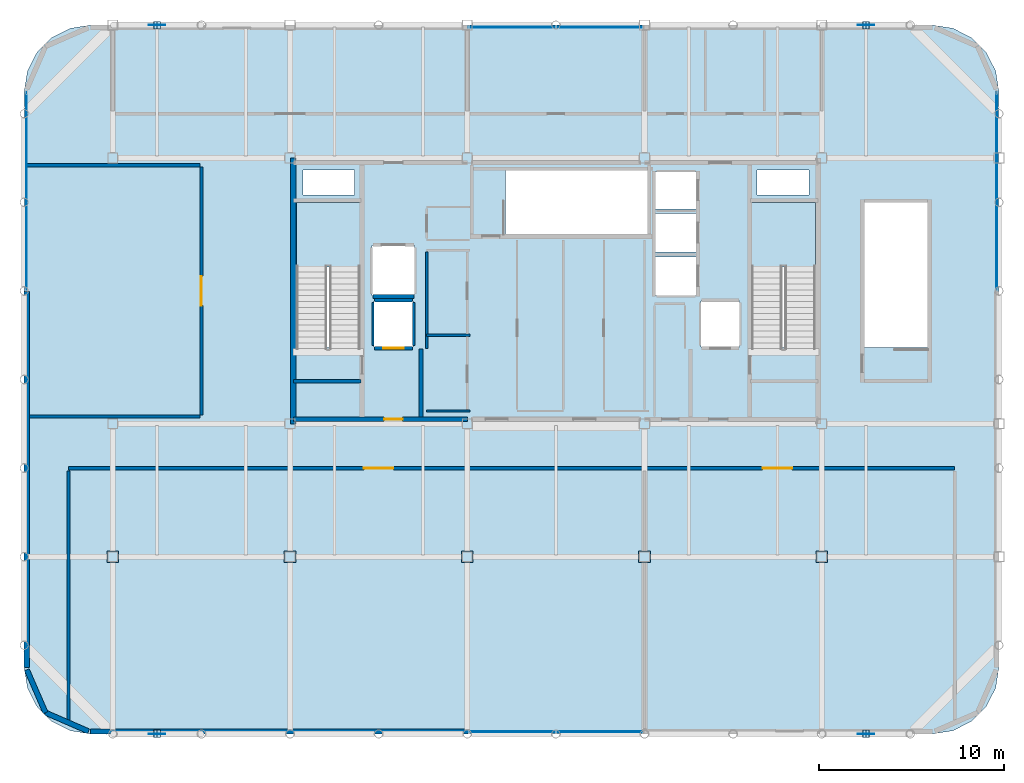
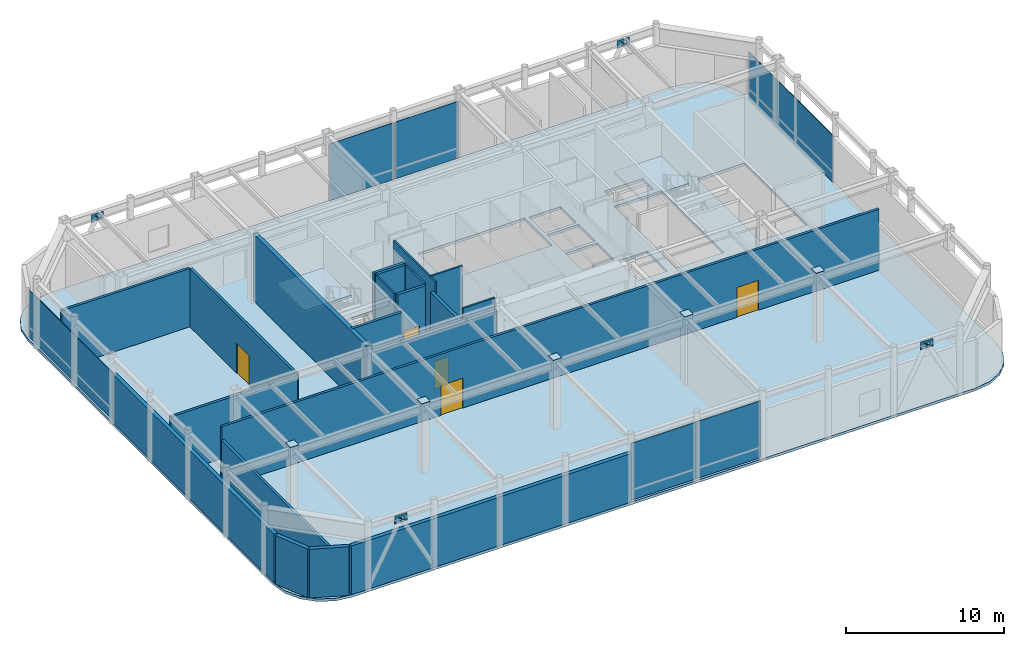
# One storey, part 16 of 21: 23 plates, 21 walls, 5 doors, 3 slabs, 5 openings, 6 elements without a shape of their own.
"""IFC4 building model written with IfcOpenShell, lengths in metres."""

from ifc_helpers import new_model, si_unit, direction, frame, frame_2d, origin, origin_2d, place, context, subcontext, project, spatial, polyline, rectangle, outline, extrude, material, layer, layer_set, type_object, element, fill, aggregate, save


model = new_model("IFC4")

# Units and contexts
model_context = context("Model", 3, precision=1e-05, world=origin(), true_north=direction((0.0, 1.0)))
body_context = subcontext(model_context, "Body", "Model", "MODEL_VIEW")
ifc_project = project(units=[si_unit("LENGTHUNIT", "METRE"), si_unit("AREAUNIT", "SQUARE_METRE"), si_unit("VOLUMEUNIT", "CUBIC_METRE"), si_unit("PLANEANGLEUNIT", "RADIAN"), si_unit("MASSUNIT", "GRAM", prefix="KILO")], contexts=[model_context])

# Site, building, storey
site_placement = place(None, origin())
site = spatial("IfcSite", under=ifc_project, at=site_placement, CompositionType="ELEMENT")
building_placement = place(site_placement, origin())
building = spatial("IfcBuilding", under=site, at=building_placement, Name="Kallvorn Hotel Tower", CompositionType="ELEMENT")
storey_placement = place(building_placement, frame((0.0, 0.0, 300.60009765625)))
storey = spatial("IfcBuildingStorey", under=building, at=storey_placement, Name="L74", CompositionType="ELEMENT", Elevation=300.60009765625)

# Curtain wall, plates
ifc_material_1 = material(Name="Thermally broken black-anodised aluminium AA 6063-T6", Category="aluminium")
ifc_layer_1 = layer(ifc_material_1, 0.25)
ifc_layer_set_1 = layer_set([ifc_layer_1], Name="CW_SYS_6_SUMMIT_OBS")
curtain_wall_type = type_object("IfcCurtainWallType", Name="CW_SYS_6_SUMMIT_OBS", PredefinedType="USERDEFINED", material=ifc_layer_set_1)
curtain_wall_1_placement = place(storey_placement, origin())
curtain_wall_1 = element("IfcCurtainWall", 1, at=curtain_wall_1_placement, inside=storey, type_object=curtain_wall_type, Name="L74 Dark-Glass Curtain Wall CW-L74-SC", ObjectType="UNITISED CURTAIN WALL", PredefinedType="USERDEFINED")
ifc_material_2 = material(Name="Triple-glazed low-e acoustic solar-control dark glass", Category="glass")
ifc_layer_2 = layer(ifc_material_2, 0.044921875)
ifc_layer_set_2 = layer_set([ifc_layer_2], Name="CW_SYS_6_SUMMIT_OBS_PANEL")
plate_type_1 = type_object("IfcPlateType", Name="CW_SYS_6_SUMMIT_OBS_PANEL", PredefinedType="CURTAIN_PANEL", material=ifc_layer_set_2)
plate_1_placement = place(storey_placement, frame((-2.375, -23.8798828125, 0.06005859375), z_axis=(0.0, 0.0, 1.0), x_axis=(1.0, 0.0, 0.0)))
plate_1 = element("IfcPlate", 2, at=plate_1_placement, type_object=plate_type_1, Name="CW-L74-SC Vision Glass Panel 00", PredefinedType="CURTAIN_PANEL", context=body_context, shape_type="SweptSolid", body=[
    extrude(rectangle(XDim=4.68994140625, YDim=0.044921875, at=origin_2d()), origin(), (0.0, 0.0, 1.0), 4.389892578125),
])
plate_2_placement = place(storey_placement, frame((2.375, -23.8798828125, 0.06005859375), z_axis=(0.0, 0.0, 1.0), x_axis=(1.0, 0.0, 0.0)))
plate_2 = element("IfcPlate", 3, at=plate_2_placement, type_object=plate_type_1, Name="CW-L74-SC Vision Glass Panel 01", PredefinedType="CURTAIN_PANEL", context=body_context, shape_type="SweptSolid", body=[
    extrude(rectangle(XDim=4.68994140625, YDim=0.044921875, at=origin_2d()), origin(), (0.0, 0.0, 1.0), 4.389892578125),
])
aggregate(curtain_wall_1, [plate_1, plate_2])

curtain_wall_2_placement = place(storey_placement, origin())
curtain_wall_2 = element("IfcCurtainWall", 4, at=curtain_wall_2_placement, inside=storey, type_object=curtain_wall_type, Name="L74 Dark-Glass Curtain Wall CW-L74-NC", ObjectType="UNITISED CURTAIN WALL", PredefinedType="USERDEFINED")
plate_3_placement = place(storey_placement, frame((-2.375, 14.280029296875, 0.06005859375), z_axis=(0.0, 0.0, 1.0), x_axis=(1.0, 0.0, 0.0)))
plate_3 = element("IfcPlate", 5, at=plate_3_placement, type_object=plate_type_1, Name="CW-L74-NC Vision Glass Panel 00", PredefinedType="CURTAIN_PANEL", context=body_context, shape_type="SweptSolid", body=[
    extrude(rectangle(XDim=4.68994140625, YDim=0.044921875, at=origin_2d()), origin(), (0.0, 0.0, 1.0), 4.389892578125),
])
plate_4_placement = place(storey_placement, frame((2.375, 14.280029296875, 0.06005859375), z_axis=(0.0, 0.0, 1.0), x_axis=(1.0, 0.0, 0.0)))
plate_4 = element("IfcPlate", 6, at=plate_4_placement, type_object=plate_type_1, Name="CW-L74-NC Vision Glass Panel 01", PredefinedType="CURTAIN_PANEL", context=body_context, shape_type="SweptSolid", body=[
    extrude(rectangle(XDim=4.68994140625, YDim=0.044921875, at=origin_2d()), origin(), (0.0, 0.0, 1.0), 4.389892578125),
])
aggregate(curtain_wall_2, [plate_3, plate_4])

# Curtain wall, plate
curtain_wall_3_placement = place(storey_placement, origin())
curtain_wall_3 = element("IfcCurtainWall", 7, at=curtain_wall_3_placement, inside=storey, type_object=curtain_wall_type, Name="L74 Dark-Glass Curtain Wall CW-L74-WN", ObjectType="UNITISED CURTAIN WALL", PredefinedType="USERDEFINED")
plate_5_placement = place(storey_placement, frame((-28.679931640625, 5.409912109375, 0.06005859375), z_axis=(0.0, 0.0, 1.0), x_axis=(0.0, 1.0, 0.0)))
plate_5 = element("IfcPlate", 8, at=plate_5_placement, type_object=plate_type_1, Name="CW-L74-WN Vision Glass Panel 00", PredefinedType="CURTAIN_PANEL", context=body_context, shape_type="SweptSolid", body=[
    extrude(rectangle(XDim=10.719970703125, YDim=0.044921875, at=origin_2d()), origin(), (0.0, 0.0, 1.0), 3.639892578125),
])
aggregate(curtain_wall_3, [plate_5])

curtain_wall_4_placement = place(storey_placement, origin())
curtain_wall_4 = element("IfcCurtainWall", 9, at=curtain_wall_4_placement, inside=storey, type_object=curtain_wall_type, Name="L74 Dark-Glass Curtain Wall CW-L74-EN", ObjectType="UNITISED CURTAIN WALL", PredefinedType="USERDEFINED")
plate_6_placement = place(storey_placement, frame((23.8798828125, 5.409912109375, 0.06005859375), z_axis=(0.0, 0.0, 1.0), x_axis=(0.0, 1.0, 0.0)))
plate_6 = element("IfcPlate", 10, at=plate_6_placement, type_object=plate_type_1, Name="CW-L74-EN Vision Glass Panel 00", PredefinedType="CURTAIN_PANEL", context=body_context, shape_type="SweptSolid", body=[
    extrude(rectangle(XDim=10.719970703125, YDim=0.044921875, at=origin_2d()), origin(), (0.0, 0.0, 1.0), 3.639892578125),
])
aggregate(curtain_wall_4, [plate_6])

# Plates
ifc_material_3 = material(Name="Structural steel S355JR", Category="steel")
ifc_layer_3 = layer(ifc_material_3, 0.030029296875)
ifc_layer_set_3 = layer_set([ifc_layer_3], Name="PLT_CAP_30")
plate_type_2 = type_object("IfcPlateType", Name="PLT_CAP_30", PredefinedType="SHEET", material=ifc_layer_set_3)
for number, where, z_axis, x_axis, name in (
    (11, (-24.0, -14.39990234375, 5.39990234375), (0.0, 0.0, 1.0), (1.0, 0.0, 0.0), "L74 Hollow Column Top End Cap Plate 0376"),
    (12, (-14.39990234375, -14.39990234375, 5.39990234375), (0.0, 0.0, 1.0), (1.0, 0.0, 0.0), "L74 Hollow Column Top End Cap Plate 0377"),
    (13, (-4.800048828125, -14.39990234375, 5.39990234375), (0.0, 0.0, 1.0), (1.0, 0.0, 0.0), "L74 Hollow Column Top End Cap Plate 0378"),
    (14, (4.800048828125, -14.39990234375, 5.39990234375), (0.0, 0.0, 1.0), (1.0, 0.0, 0.0), "L74 Hollow Column Top End Cap Plate 0379"),
    (15, (14.39990234375, -14.39990234375, 5.39990234375), (0.0, 0.0, 1.0), (1.0, 0.0, 0.0), "L74 Hollow Column Top End Cap Plate 0380"),
):
    element("IfcPlate", number, at=place(storey_placement, frame(where, z_axis=z_axis, x_axis=x_axis)), inside=storey, type_object=plate_type_2, Name=name, PredefinedType="SHEET", context=body_context, shape_type="SweptSolid", body=[
        extrude(rectangle(XDim=0.6298828125, YDim=0.6298828125, at=origin_2d()), origin(), (0.0, 0.0, 1.0), 0.030029296875),
    ])
for number, where, z_axis, x_axis, name in (
    (16, (-21.4169921875, -24.201904296875, 4.614013671875), (0.469081562602, 0.0, 0.883154849178), (0.0, 1.0, 0.0), "EXO-L74-S1A End Cap Plate B"),
    (17, (-21.782958984375, -23.798095703125, 4.614013671875), (-0.469081562602, 0.0, 0.883154849178), (0.0, -1.0, 0.0), "EXO-L74-S1B End Cap Plate B"),
    (18, (16.98291015625, -24.201904296875, 4.614013671875), (0.469081562602, 0.0, 0.883154849178), (0.0, 1.0, 0.0), "EXO-L74-S2A End Cap Plate B"),
    (19, (16.616943359375, -23.798095703125, 4.614013671875), (-0.469081562602, 0.0, 0.883154849178), (0.0, -1.0, 0.0), "EXO-L74-S2B End Cap Plate B"),
):
    element("IfcPlate", number, at=place(storey_placement, frame(where, z_axis=z_axis, x_axis=x_axis)), inside=storey, type_object=plate_type_2, Name=name, PredefinedType="SHEET", context=body_context, shape_type="SweptSolid", body=[
        extrude(outline(polyline([(0.0, 0.0), (0.40380859375, 0.0), (0.40380859375, 0.40388098809287526), (0.0, 0.40388098809287526), (0.0, 0.0)])), origin(), (0.0, 0.0, -1.0), 0.030029296875),
    ])
for number, where, z_axis, x_axis, name in (
    (20, (-21.4169921875, 14.197998046875, 4.614013671875), (0.469081562602, 0.0, 0.883154849178), (0.0, 1.0, 0.0), "EXO-L74-N1A End Cap Plate B"),
    (21, (-21.782958984375, 14.60205078125, 4.614013671875), (-0.469081562602, 0.0, 0.883154849178), (0.0, -1.0, 0.0), "EXO-L74-N1B End Cap Plate B"),
    (22, (16.98291015625, 14.197998046875, 4.614013671875), (0.469081562602, 0.0, 0.883154849178), (0.0, 1.0, 0.0), "EXO-L74-N2A End Cap Plate B"),
    (23, (16.616943359375, 14.60205078125, 4.614013671875), (-0.469081562602, 0.0, 0.883154849178), (0.0, -1.0, 0.0), "EXO-L74-N2B End Cap Plate B"),
):
    element("IfcPlate", number, at=place(storey_placement, frame(where, z_axis=z_axis, x_axis=x_axis)), inside=storey, type_object=plate_type_2, Name=name, PredefinedType="SHEET", context=body_context, shape_type="SweptSolid", body=[
        extrude(outline(polyline([(0.0, 0.0), (0.404052734375, 0.0), (0.404052734375, 0.4038809880928752), (0.0, 0.4038809880928752), (0.0, 0.0)])), origin(), (0.0, 0.0, -1.0), 0.030029296875),
    ])
ifc_material_4 = material(Name="Structural steel S355JR", Category="steel")
ifc_layer_4 = layer(ifc_material_4, 0.034912109375)
ifc_layer_set_4 = layer_set([ifc_layer_4], Name="PLT_GUSSET_35")
plate_type_3 = type_object("IfcPlateType", Name="PLT_GUSSET_35", PredefinedType="USERDEFINED", material=ifc_layer_set_4)
for number, where, z_axis, x_axis, name in (
    (24, (-21.60009765625, -24.0, 4.3798828125), (0.0, 0.0, 1.0), (1.0, 0.0, 0.0), "L74 Exoskeleton Node Gusset S1"),
    (25, (16.800048828125, -24.0, 4.3798828125), (0.0, 0.0, 1.0), (1.0, 0.0, 0.0), "L74 Exoskeleton Node Gusset S2"),
    (26, (-21.60009765625, 14.39990234375, 4.3798828125), (0.0, 0.0, 1.0), (1.0, 0.0, 0.0), "L74 Exoskeleton Node Gusset N1"),
    (27, (16.800048828125, 14.39990234375, 4.3798828125), (0.0, 0.0, 1.0), (1.0, 0.0, 0.0), "L74 Exoskeleton Node Gusset N2"),
):
    element("IfcPlate", number, at=place(storey_placement, frame(where, z_axis=z_axis, x_axis=x_axis)), inside=storey, type_object=plate_type_3, Name=name, ObjectType="GUSSET PLATE", PredefinedType="USERDEFINED", context=body_context, shape_type="SweptSolid", body=[
        extrude(rectangle(XDim=0.89990234375, YDim=0.034912109375, at=origin_2d()), origin(), (0.0, 0.0, 1.0), 0.56005859375),
    ])

# Stair, slab
ifc_material_5 = material(Name="Precast concrete C40/50", Category="concrete")
stair_type = type_object("IfcStairType", Name="STR_CORE_DOGLEG", PredefinedType="HALF_TURN_STAIR", material=ifc_material_5)
stair_1_placement = place(storey_placement, origin())
stair_1 = element("IfcStair", 28, at=stair_1_placement, inside=storey, type_object=stair_type, Name="L74 Exit stair ST1", PredefinedType="HALF_TURN_STAIR")
ifc_material_6 = material(Name="Precast concrete C40/50", Category="concrete")
ifc_layer_5 = layer(ifc_material_6, 0.179931640625)
ifc_layer_set_5 = layer_set([ifc_layer_5], Name="SLB_LANDING_180")
slab_type_1 = type_object("IfcSlabType", Name="SLB_LANDING_180", PredefinedType="LANDING", material=ifc_layer_set_5)
slab_1_placement = place(storey_placement, frame((0.0, 0.0, 2.5)))
slab_1 = element("IfcSlab", 29, at=slab_1_placement, type_object=slab_type_1, Name="ST1 landing 1", PredefinedType="LANDING", context=body_context, shape_type="SweptSolid", body=[
    extrude(outline(polyline([(-10.60009765625, 1.2900390625), (-10.60009765625, 4.800048828125), (-14.06005859375, 4.800048828125), (-14.06005859375, 1.2900390625), (-10.60009765625, 1.2900390625)])), origin(), (0.0, 0.0, 1.0), 0.199951171875),
])
aggregate(stair_1, [slab_1])

stair_2_placement = place(storey_placement, origin())
stair_2 = element("IfcStair", 30, at=stair_2_placement, inside=storey, type_object=stair_type, Name="L74 Exit stair ST2", PredefinedType="HALF_TURN_STAIR")
slab_2_placement = place(storey_placement, frame((0.0, 0.0, 2.5)))
slab_2 = element("IfcSlab", 31, at=slab_2_placement, type_object=slab_type_1, Name="ST2 landing 1", PredefinedType="LANDING", context=body_context, shape_type="SweptSolid", body=[
    extrude(outline(polyline([(14.06005859375, 1.2900390625), (14.06005859375, 4.800048828125), (10.60009765625, 4.800048828125), (10.60009765625, 1.2900390625), (14.06005859375, 1.2900390625)])), origin(), (0.0, 0.0, 1.0), 0.199951171875),
])
aggregate(stair_2, [slab_2])

# Slab
ifc_material_7 = material(Name="Concrete C40/50", Category="concrete")
ifc_layer_6 = layer(ifc_material_7, 0.199951171875)
ifc_layer_set_6 = layer_set([ifc_layer_6], Name="SLB_SUMMIT_200")
slab_type_2 = type_object("IfcSlabType", Name="SLB_SUMMIT_200", PredefinedType="FLOOR", material=ifc_layer_set_6)
slab_3_placement = place(storey_placement, frame((0.0, 0.0, -0.2001953125)))
element("IfcSlab", 32, at=slab_3_placement, inside=storey, type_object=slab_type_2, Name="L74 Structural Floor Slab", PredefinedType="FLOOR", context=body_context, shape_type="SweptSolid", body=[
    extrude(outline(polyline([(20.39990234375, -24.0), (21.512451171875, -23.82373046875), (22.51611328125, -23.3125), (23.3125, -22.51611328125), (23.82373046875, -21.512451171875), (24.0, -20.39990234375), (24.0, 10.800048828125), (23.82373046875, 11.91259765625), (23.3125, 12.916015625), (22.51611328125, 13.71240234375), (21.512451171875, 14.223876953125), (20.39990234375, 14.39990234375), (-25.199951171875, 14.39990234375), (-26.3125, 14.223876953125), (-27.31591796875, 13.71240234375), (-28.112548828125, 12.916015625), (-28.623779296875, 11.91259765625), (-28.800048828125, 10.800048828125), (-28.800048828125, -20.39990234375), (-28.623779296875, -21.512451171875), (-28.112548828125, -22.51611328125), (-27.31591796875, -23.3125), (-26.3125, -23.82373046875), (-25.199951171875, -24.0), (20.39990234375, -24.0)]), holes=[polyline([(-10.60009765625, -3.070068359375), (-10.60009765625, 4.800048828125), (-14.06005859375, 4.800048828125), (-14.06005859375, -3.070068359375), (-10.60009765625, -3.070068359375)]), polyline([(14.06005859375, -3.070068359375), (14.06005859375, 4.800048828125), (10.60009765625, 4.800048828125), (10.60009765625, -3.070068359375), (14.06005859375, -3.070068359375)]), polyline([(-2.719970703125, 3.050048828125), (5.050048828125, 3.050048828125), (5.050048828125, 6.510009765625), (-2.719970703125, 6.510009765625), (-2.719970703125, 3.050048828125)]), polyline([(20.159912109375, -3.070068359375), (20.159912109375, 4.800048828125), (16.699951171875, 4.800048828125), (16.699951171875, -3.070068359375), (20.159912109375, -3.070068359375)]), polyline([(5.35009765625, -0.25), (7.64990234375, -0.25), (7.64990234375, 1.85009765625), (5.35009765625, 1.85009765625), (5.35009765625, -0.25)]), polyline([(5.35009765625, 2.10009765625), (7.64990234375, 2.10009765625), (7.64990234375, 4.199951171875), (5.35009765625, 4.199951171875), (5.35009765625, 2.10009765625)]), polyline([(5.35009765625, 4.449951171875), (7.64990234375, 4.449951171875), (7.64990234375, 6.449951171875), (5.35009765625, 6.449951171875), (5.35009765625, 4.449951171875)]), polyline([(-9.85009765625, -3.050048828125), (-7.75, -3.050048828125), (-7.75, -0.550048828125), (-9.85009765625, -0.550048828125), (-9.85009765625, -3.050048828125)]), polyline([(7.85009765625, -3.050048828125), (9.949951171875, -3.050048828125), (9.949951171875, -0.550048828125), (7.85009765625, -0.550048828125), (7.85009765625, -3.050048828125)]), polyline([(-9.949951171875, -0.25), (-7.64990234375, -0.25), (-7.64990234375, 2.449951171875), (-9.949951171875, 2.449951171875), (-9.949951171875, -0.25)]), polyline([(-13.699951171875, 5.199951171875), (-10.89990234375, 5.199951171875), (-10.89990234375, 6.550048828125), (-13.699951171875, 6.550048828125), (-13.699951171875, 5.199951171875)]), polyline([(10.89990234375, 5.199951171875), (13.699951171875, 5.199951171875), (13.699951171875, 6.550048828125), (10.89990234375, 6.550048828125), (10.89990234375, 5.199951171875)])]), origin(), (0.0, 0.0, 1.0), 0.2001953125),
])

# Wall
ifc_material_8 = material(Name="Concrete C50/60", Category="concrete")
ifc_layer_7 = layer(ifc_material_8, 0.300048828125)
ifc_layer_set_7 = layer_set([ifc_layer_7], Name="WL_CORE_300")
wall_type_1 = type_object("IfcWallType", Name="WL_CORE_300", PredefinedType="SHEAR", material=ifc_layer_set_7)
wall_1_placement = place(storey_placement, frame((-14.215087890625, -7.199951171875, -0.2001953125), z_axis=(0.0, 0.0, 1.0), x_axis=(0.0, 1.0, 0.0)))
element("IfcWall", 33, at=wall_1_placement, inside=storey, type_object=wall_type_1, Name="L74 Core West Shear Wall", PredefinedType="SHEAR", context=body_context, shape_type="SweptSolid", body=[
    extrude(rectangle(XDim=14.39990234375, YDim=0.300048828125, at=frame_2d((7.199951171875, 0.0))), origin(), (0.0, 0.0, 1.0), 5.360107421875),
])

# Wall, openings, doors
ifc_material_9 = material(Name="Fire-rated double-layer acoustic gypsum drywall EI 60")
ifc_layer_8 = layer(ifc_material_9, 0.179931640625)
ifc_layer_set_8 = layer_set([ifc_layer_8], Name="WL_CORR_180")
wall_type_2 = type_object("IfcWallType", Name="WL_CORR_180", PredefinedType="PARTITIONING", material=ifc_layer_set_8)
wall_2_placement = place(storey_placement, frame((-26.39990234375, -9.60009765625, 0.0), z_axis=(0.0, 0.0, 1.0), x_axis=(1.0, 0.0, 0.0)))
wall_2 = element("IfcWall", 34, at=wall_2_placement, inside=storey, type_object=wall_type_2, Name="L74 South Panorama Observation Deck and Viewing Hall Partition", PredefinedType="PARTITIONING", context=body_context, shape_type="SweptSolid", body=[
    extrude(rectangle(XDim=48.0, YDim=0.179931640625, at=frame_2d((24.0, 0.0))), origin(), (0.0, 0.0, 1.0), 4.719970703125),
])
opening_1_placement = place(wall_2_placement, frame((16.0, 0.0, 0.0)))
opening_1 = element("IfcOpeningElement", 35, at=opening_1_placement, cuts=wall_2, Name="Opening HD1", PredefinedType="OPENING", context=body_context, shape_type="SweptSolid", body=[
    extrude(rectangle(XDim=1.60009765625, YDim=2.300048828125, at=frame_2d((0.800048828125, 1.14990234375))), frame((0.0, 0.104736328125, 0.0), z_axis=(0.0, -1.0, 0.0), x_axis=(1.0, 0.0, 0.0)), (0.0, 0.0, 1.0), 0.2099609375),
])
opening_2_placement = place(wall_2_placement, frame((37.60009765625, 0.0, 0.0)))
opening_2 = element("IfcOpeningElement", 36, at=opening_2_placement, cuts=wall_2, Name="Opening HD1", PredefinedType="OPENING", context=body_context, shape_type="SweptSolid", body=[
    extrude(rectangle(XDim=1.60009765625, YDim=2.300048828125, at=frame_2d((0.800048828125, 1.14990234375))), frame((0.0, 0.104736328125, 0.0), z_axis=(0.0, -1.0, 0.0), x_axis=(1.0, 0.0, 0.0)), (0.0, 0.0, 1.0), 0.2099609375),
])
ifc_material_10 = material(Name="Solid-core walnut veneer fire-rated timber door leaf", Category="wood")
door_type_1 = type_object("IfcDoorType", Name="DR_HALL_1600x2300", OperationType="DOUBLE_DOOR_SINGLE_SWING", PredefinedType="DOOR", material=ifc_material_10)
door_1_placement = place(opening_1_placement, origin())
door_1 = element("IfcDoor", 37, at=door_1_placement, inside=storey, type_object=door_type_1, Name="L74 South Panorama Observation Deck and Viewing Hall Door", OperationType="DOUBLE_DOOR_SINGLE_SWING", OverallHeight=2.300048828125, OverallWidth=1.60009765625, PredefinedType="DOOR", context=body_context, shape_type="SweptSolid", body=[
    extrude(rectangle(XDim=1.60009765625, YDim=2.300048828125, at=frame_2d((0.800048828125, 1.14990234375))), frame((0.0, 0.02490234375, 0.0), z_axis=(0.0, -1.0, 0.0), x_axis=(1.0, 0.0, 0.0)), (0.0, 0.0, 1.0), 0.050048828125),
])
fill(opening_1, door_1)
door_2_placement = place(opening_2_placement, origin())
door_2 = element("IfcDoor", 38, at=door_2_placement, inside=storey, type_object=door_type_1, Name="L74 Bogota Heritage Exhibition Hall Door", OperationType="DOUBLE_DOOR_SINGLE_SWING", OverallHeight=2.300048828125, OverallWidth=1.60009765625, PredefinedType="DOOR", context=body_context, shape_type="SweptSolid", body=[
    extrude(rectangle(XDim=1.60009765625, YDim=2.300048828125, at=frame_2d((0.800048828125, 1.14990234375))), frame((0.0, 0.02490234375, 0.0), z_axis=(0.0, -1.0, 0.0), x_axis=(1.0, 0.0, 0.0)), (0.0, 0.0, 1.0), 0.050048828125),
])
fill(opening_2, door_2)

# Walls
wall_3_placement = place(storey_placement, frame((-28.510009765625, -6.800048828125, 0.0), z_axis=(0.0, 0.0, 1.0), x_axis=(1.0, 0.0, 0.0)))
element("IfcWall", 39, at=wall_3_placement, inside=storey, type_object=wall_type_2, Name="L74 West Monserrate Telescope Viewing Hall Partition", PredefinedType="PARTITIONING", context=body_context, shape_type="SweptSolid", body=[
    extrude(rectangle(XDim=9.22998046875, YDim=0.179931640625, at=frame_2d((4.614990234375, 0.0))), origin(), (0.0, 0.0, 1.0), 4.510009765625),
])
wall_4_placement = place(storey_placement, frame((-28.6298828125, 6.800048828125, 0.0), z_axis=(0.0, 0.0, 1.0), x_axis=(1.0, 0.0, 0.0)))
element("IfcWall", 40, at=wall_4_placement, inside=storey, type_object=wall_type_2, Name="L74 West Monserrate Telescope Viewing Hall Partition", PredefinedType="PARTITIONING", context=body_context, shape_type="SweptSolid", body=[
    extrude(rectangle(XDim=9.349853515625, YDim=0.179931640625, at=frame_2d((4.6748046875, 0.0))), origin(), (0.0, 0.0, 1.0), 4.510009765625),
])
wall_5_placement = place(storey_placement, frame((-26.39990234375, -23.238525390625, 0.0), z_axis=(0.0, 0.0, 1.0), x_axis=(0.0, 1.0, 0.0)))
element("IfcWall", 41, at=wall_5_placement, inside=storey, type_object=wall_type_2, Name="L74 South Panorama Observation Deck and Viewing Hall Partition", PredefinedType="PARTITIONING", context=body_context, shape_type="SweptSolid", body=[
    extrude(rectangle(XDim=13.488525390625, YDim=0.179931640625, at=frame_2d((6.744140625, 0.0))), origin(), (0.0, 0.0, 1.0), 3.760009765625),
])

# Wall, opening, door
wall_6_placement = place(storey_placement, frame((-19.199951171875, -6.715087890625, 0.0), z_axis=(0.0, 0.0, 1.0), x_axis=(0.0, 1.0, 0.0)))
wall_6 = element("IfcWall", 42, at=wall_6_placement, inside=storey, type_object=wall_type_2, Name="L74 West Monserrate Telescope Viewing Hall Partition", PredefinedType="PARTITIONING", context=body_context, shape_type="SweptSolid", body=[
    extrude(rectangle(XDim=13.43017578125, YDim=0.179931640625, at=frame_2d((6.715087890625, 0.0))), origin(), (0.0, 0.0, 1.0), 4.510009765625),
])
opening_3_placement = place(wall_6_placement, frame((5.9150390625, 0.0, 0.0)))
opening_3 = element("IfcOpeningElement", 43, at=opening_3_placement, cuts=wall_6, Name="Opening HD1", PredefinedType="OPENING", context=body_context, shape_type="SweptSolid", body=[
    extrude(rectangle(XDim=1.60009765625, YDim=2.300048828125, at=frame_2d((0.800048828125, 1.14990234375))), frame((0.0, 0.104736328125, 0.0), z_axis=(0.0, -1.0, 0.0), x_axis=(1.0, 0.0, 0.0)), (0.0, 0.0, 1.0), 0.2099609375),
])
door_3_placement = place(opening_3_placement, origin())
door_3 = element("IfcDoor", 44, at=door_3_placement, inside=storey, type_object=door_type_1, Name="L74 West Monserrate Telescope Viewing Hall Door", OperationType="DOUBLE_DOOR_SINGLE_SWING", OverallHeight=2.300048828125, OverallWidth=1.60009765625, PredefinedType="DOOR", context=body_context, shape_type="SweptSolid", body=[
    extrude(rectangle(XDim=1.60009765625, YDim=2.300048828125, at=frame_2d((0.800048828125, 1.14990234375))), frame((0.0, 0.02490234375, 0.0), z_axis=(0.0, -1.0, 0.0), x_axis=(1.0, 0.0, 0.0)), (0.0, 0.0, 1.0), 0.050048828125),
])
fill(opening_3, door_3)

# Walls
ifc_material_11 = material(Name="Precast basalt-clad insulated concrete wall C40/50", Category="masonry")
ifc_layer_9 = layer(ifc_material_11, 0.280029296875)
ifc_layer_set_9 = layer_set([ifc_layer_9], Name="WL_EXT_LOGGIA_280")
wall_type_3 = type_object("IfcWallType", Name="WL_EXT_LOGGIA_280", PredefinedType="SOLIDWALL", material=ifc_layer_set_9)
wall_7_placement = place(storey_placement, frame((-28.657958984375, -20.520751953125, 0.0), z_axis=(0.0, 0.0, 1.0), x_axis=(0.398792985289, -0.917040977756, 0.0)))
element("IfcWall", 45, at=wall_7_placement, inside=storey, type_object=wall_type_3, Name="L74 Rounded Corner Exterior Wall SW1", PredefinedType="SOLIDWALL", context=body_context, shape_type="SweptSolid", body=[
    extrude(rectangle(XDim=2.536376953125, YDim=0.280029296875, at=frame_2d((1.26806640625, 0.0))), origin(), (0.0, 0.0, 1.0), 3.760009765625),
])
wall_8_placement = place(storey_placement, frame((-27.646484375, -22.8466796875, 0.0), z_axis=(0.0, 0.0, 1.0), x_axis=(0.917060872934, -0.398747232384, 0.0)))
element("IfcWall", 46, at=wall_8_placement, inside=storey, type_object=wall_type_3, Name="L74 Rounded Corner Exterior Wall SW2", PredefinedType="SOLIDWALL", context=body_context, shape_type="SweptSolid", body=[
    extrude(rectangle(XDim=2.5361328125, YDim=0.280029296875, at=frame_2d((1.26806640625, 0.0))), origin(), (0.0, 0.0, 1.0), 3.760009765625),
])
wall_9_placement = place(storey_placement, frame((-25.199951171875, -23.860107421875, 0.0), z_axis=(0.0, 0.0, 1.0), x_axis=(1.0, 0.0, 0.0)))
element("IfcWall", 47, at=wall_9_placement, inside=storey, type_object=wall_type_3, Name="L74 Exterior Envelope Wall EW-L74-SW", PredefinedType="SOLIDWALL", context=body_context, shape_type="SweptSolid", body=[
    extrude(rectangle(XDim=20.449951171875, YDim=0.280029296875, at=frame_2d((10.22509765625, 0.0))), origin(), (0.0, 0.0, 1.0), 3.760009765625),
])
wall_10_placement = place(storey_placement, frame((-28.659912109375, -20.39990234375, 0.0), z_axis=(0.0, 0.0, 1.0), x_axis=(0.0, 1.0, 0.0)))
element("IfcWall", 48, at=wall_10_placement, inside=storey, type_object=wall_type_3, Name="L74 Exterior Envelope Wall EW-L74-WS", PredefinedType="SOLIDWALL", context=body_context, shape_type="SweptSolid", body=[
    extrude(rectangle(XDim=20.3798828125, YDim=0.280029296875, at=frame_2d((10.18994140625, 0.0))), origin(), (0.0, 0.0, 1.0), 3.760009765625),
])
ifc_material_12 = material(Name="Concrete C40/50", Category="concrete")
ifc_layer_10 = layer(ifc_material_12, 0.219970703125)
ifc_layer_set_10 = layer_set([ifc_layer_10], Name="WL_FFL_220")
wall_type_4 = type_object("IfcWallType", Name="WL_FFL_220", PredefinedType="SOLIDWALL", material=ifc_layer_set_10)
wall_11_placement = place(storey_placement, frame((-7.300048828125, -6.820068359375, 0.0), z_axis=(0.0, 0.0, 1.0), x_axis=(0.0, 1.0, 0.0)))
element("IfcWall", 49, at=wall_11_placement, inside=storey, type_object=wall_type_4, Name="L74 Firefighting Lobby West Divider Wall", PredefinedType="SOLIDWALL", context=body_context, shape_type="SweptSolid", body=[
    extrude(rectangle(XDim=3.670166015625, YDim=0.219970703125, at=frame_2d((1.8349609375, 0.0))), origin(), (0.0, 0.0, 1.0), 4.510009765625),
])
ifc_material_13 = material(Name="Concrete C40/50", Category="concrete")
ifc_layer_11 = layer(ifc_material_13, 0.199951171875)
ifc_layer_set_11 = layer_set([ifc_layer_11], Name="WL_HOIST_200")
wall_type_5 = type_object("IfcWallType", Name="WL_HOIST_200", PredefinedType="SOLIDWALL", material=ifc_layer_set_11)
wall_12_placement = place(storey_placement, frame((-14.199951171875, -4.89990234375, -0.2001953125), z_axis=(0.0, 0.0, 1.0), x_axis=(1.0, 0.0, 0.0)))
element("IfcWall", 50, at=wall_12_placement, inside=storey, type_object=wall_type_5, Name="L74 Stair ST1 South Wall", PredefinedType="SOLIDWALL", context=body_context, shape_type="SweptSolid", body=[
    extrude(rectangle(XDim=3.64990234375, YDim=0.199951171875, at=frame_2d((1.824951171875, 0.0))), origin(), (0.0, 0.0, 1.0), 5.360107421875),
])

# Wall, opening, door
wall_13_placement = place(storey_placement, frame((-9.820068359375, -3.10009765625, 0.0), z_axis=(0.0, 0.0, 1.0), x_axis=(1.0, 0.0, 0.0)))
wall_13 = element("IfcWall", 51, at=wall_13_placement, inside=storey, type_object=wall_type_5, Name="L74 FL-1 Landing Wall", PredefinedType="SOLIDWALL", context=body_context, shape_type="SweptSolid", body=[
    extrude(rectangle(XDim=2.0400390625, YDim=0.199951171875, at=frame_2d((1.02001953125, 0.0))), origin(), (0.0, 0.0, 1.0), 5.159912109375),
])
opening_4_placement = place(wall_13_placement, frame((0.469970703125, 0.0, 0.0)))
opening_4 = element("IfcOpeningElement", 52, at=opening_4_placement, cuts=wall_13, Name="Opening LD-FL-1", PredefinedType="OPENING", context=body_context, shape_type="SweptSolid", body=[
    extrude(rectangle(XDim=1.10009765625, YDim=2.199951171875, at=frame_2d((0.550048828125, 1.10009765625))), frame((0.0, 0.114990234375, 0.0), z_axis=(0.0, -1.0, 0.0), x_axis=(1.0, 0.0, 0.0)), (0.0, 0.0, 1.0), 0.22998046875),
])
ifc_material_14 = material(Name="Brushed stainless-steel automatic sliding lift landing door", Category="steel")
door_type_2 = type_object("IfcDoorType", Name="LD_PASS_1100x2200", OperationType="SLIDING_TO_LEFT", PredefinedType="DOOR", material=ifc_material_14)
door_4_placement = place(opening_4_placement, origin())
door_4 = element("IfcDoor", 53, at=door_4_placement, inside=storey, type_object=door_type_2, Name="L74 Lift Landing Sliding Door LD-FL-1", OperationType="SLIDING_TO_LEFT", OverallHeight=2.199951171875, OverallWidth=1.10009765625, PredefinedType="DOOR", context=body_context, shape_type="SweptSolid", body=[
    extrude(rectangle(XDim=1.10009765625, YDim=2.199951171875, at=frame_2d((0.550048828125, 1.10009765625))), frame((0.0, 0.02490234375, 0.0), z_axis=(0.0, -1.0, 0.0), x_axis=(1.0, 0.0, 0.0)), (0.0, 0.0, 1.0), 0.050048828125),
])
fill(opening_4, door_4)

# Walls
wall_14_placement = place(storey_placement, frame((-9.820068359375, -0.5, 0.0), z_axis=(0.0, 0.0, 1.0), x_axis=(1.0, 0.0, 0.0)))
element("IfcWall", 54, at=wall_14_placement, inside=storey, type_object=wall_type_5, Name="L74 FL-1 Rear Shaft Wall", PredefinedType="SOLIDWALL", context=body_context, shape_type="SweptSolid", body=[
    extrude(rectangle(XDim=2.0400390625, YDim=0.199951171875, at=frame_2d((1.02001953125, 0.0))), origin(), (0.0, 0.0, 1.0), 5.159912109375),
])
wall_15_placement = place(storey_placement, frame((-9.919921875, -0.300048828125, 0.0), z_axis=(0.0, 0.0, 1.0), x_axis=(1.0, 0.0, 0.0)))
element("IfcWall", 55, at=wall_15_placement, inside=storey, type_object=wall_type_5, Name="L74 SV-01 Rear Shaft Wall", PredefinedType="SOLIDWALL", context=body_context, shape_type="SweptSolid", body=[
    extrude(rectangle(XDim=2.239990234375, YDim=0.199951171875, at=frame_2d((1.1201171875, 0.0))), origin(), (0.0, 0.0, 1.0), 5.159912109375),
])
ifc_material_15 = material(Name="Fire-rated double-layer acoustic gypsum drywall EI 60")
ifc_layer_12 = layer(ifc_material_15, 0.1201171875)
ifc_layer_set_12 = layer_set([ifc_layer_12], Name="WL_INT_120")
wall_type_6 = type_object("IfcWallType", Name="WL_INT_120", PredefinedType="PARTITIONING", material=ifc_layer_set_12)
for number, where, z_axis, x_axis, name in (
    (56, (-9.89990234375, -2.9599609375, 0.0), (0.0, 0.0, 1.0), (0.0, 1.0, 0.0), "L74 FL-1 West Shaft Wall"),
    (57, (-7.699951171875, -2.9599609375, 0.0), (0.0, 0.0, 1.0), (0.0, 1.0, 0.0), "L74 FL-1 East Shaft Wall"),
):
    element("IfcWall", number, at=place(storey_placement, frame(where, z_axis=z_axis, x_axis=x_axis)), inside=storey, type_object=wall_type_6, Name=name, PredefinedType="PARTITIONING", context=body_context, shape_type="SweptSolid", body=[
        extrude(rectangle(XDim=2.320068359375, YDim=0.1201171875, at=frame_2d((1.16015625, 0.0))), origin(), (0.0, 0.0, 1.0), 5.159912109375),
    ])
for number, where, z_axis, x_axis, name in (
    (58, (-7.0, -6.5, 0.0), (0.0, 0.0, 1.0), (1.0, 0.0, 0.0), "L74 Recaptured South Minibar Pantry Partition"),
    (59, (-7.0, -2.39990234375, 0.0), (0.0, 0.0, 1.0), (1.0, 0.0, 0.0), "L74 Recaptured Central Linen Store Partition"),
):
    element("IfcWall", number, at=place(storey_placement, frame(where, z_axis=z_axis, x_axis=x_axis)), inside=storey, type_object=wall_type_6, Name=name, PredefinedType="PARTITIONING", context=body_context, shape_type="SweptSolid", body=[
        extrude(rectangle(XDim=2.35009765625, YDim=0.1201171875, at=frame_2d((1.175048828125, 0.0))), origin(), (0.0, 0.0, 1.0), 5.159912109375),
    ])
wall_16_placement = place(storey_placement, frame((-7.0, -3.110107421875, 0.0), z_axis=(0.0, 0.0, 1.0), x_axis=(0.0, 1.0, 0.0)))
element("IfcWall", 60, at=wall_16_placement, inside=storey, type_object=wall_type_6, Name="L74 Recaptured South Minibar Pantry Partition", PredefinedType="PARTITIONING", context=body_context, shape_type="SweptSolid", body=[
    extrude(rectangle(XDim=5.22509765625, YDim=0.1201171875, at=frame_2d((2.612548828125, 0.0))), origin(), (0.0, 0.0, 1.0), 5.159912109375),
])

# Wall, opening, door
ifc_material_16 = material(Name="Concrete C40/50", Category="concrete")
ifc_layer_13 = layer(ifc_material_16, 0.25)
ifc_layer_set_13 = layer_set([ifc_layer_13], Name="WL_SHAFT_250")
wall_type_7 = type_object("IfcWallType", Name="WL_SHAFT_250", PredefinedType="SOLIDWALL", material=ifc_layer_set_13)
wall_17_placement = place(storey_placement, frame((-14.199951171875, -6.949951171875, 0.0), z_axis=(0.0, 0.0, 1.0), x_axis=(1.0, 0.0, 0.0)))
wall_17 = element("IfcWall", 61, at=wall_17_placement, inside=storey, type_object=wall_type_7, Name="L74 Core South-West Wall", PredefinedType="SOLIDWALL", context=body_context, shape_type="SweptSolid", body=[
    extrude(rectangle(XDim=9.39990234375, YDim=0.25, at=frame_2d((4.699951171875, 0.0))), origin(), (0.0, 0.0, 1.0), 4.510009765625),
])
opening_5_placement = place(wall_17_placement, frame((4.89990234375, 0.0, 0.0)))
opening_5 = element("IfcOpeningElement", 62, at=opening_5_placement, cuts=wall_17, Name="Opening FD1", PredefinedType="OPENING", context=body_context, shape_type="SweptSolid", body=[
    extrude(rectangle(XDim=1.0, YDim=2.14990234375, at=frame_2d((0.5, 1.074951171875))), frame((0.0, 0.139892578125, 0.0), z_axis=(0.0, -1.0, 0.0), x_axis=(1.0, 0.0, 0.0)), (0.0, 0.0, 1.0), 0.280029296875),
])
ifc_material_17 = material(Name="Galvanised painted steel fire-rated door assembly", Category="steel")
door_type_3 = type_object("IfcDoorType", Name="DR_FFL_1000x2150", OperationType="NOTDEFINED", PredefinedType="DOOR", material=ifc_material_17)
door_5_placement = place(opening_5_placement, origin())
door_5 = element("IfcDoor", 63, at=door_5_placement, inside=storey, type_object=door_type_3, Name="L74 Firefighting Lobby West Door", OperationType="SINGLE_SWING_RIGHT", OverallHeight=2.14990234375, OverallWidth=1.0, PredefinedType="DOOR", context=body_context, shape_type="SweptSolid", body=[
    extrude(rectangle(XDim=1.0, YDim=2.14990234375, at=frame_2d((0.5, 1.074951171875))), frame((0.0, 0.02490234375, 0.0), z_axis=(0.0, -1.0, 0.0), x_axis=(1.0, 0.0, 0.0)), (0.0, 0.0, 1.0), 0.050048828125),
])
fill(opening_5, door_5)

save(model, "model.ifc")
